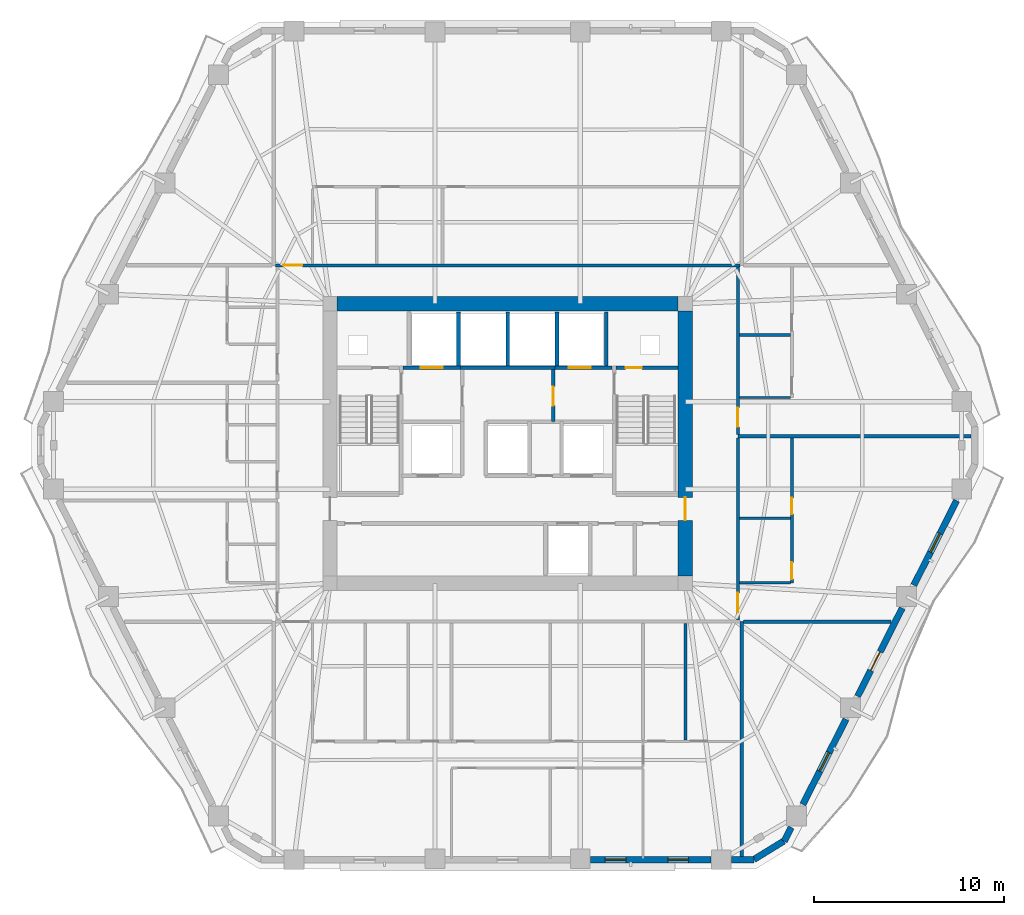
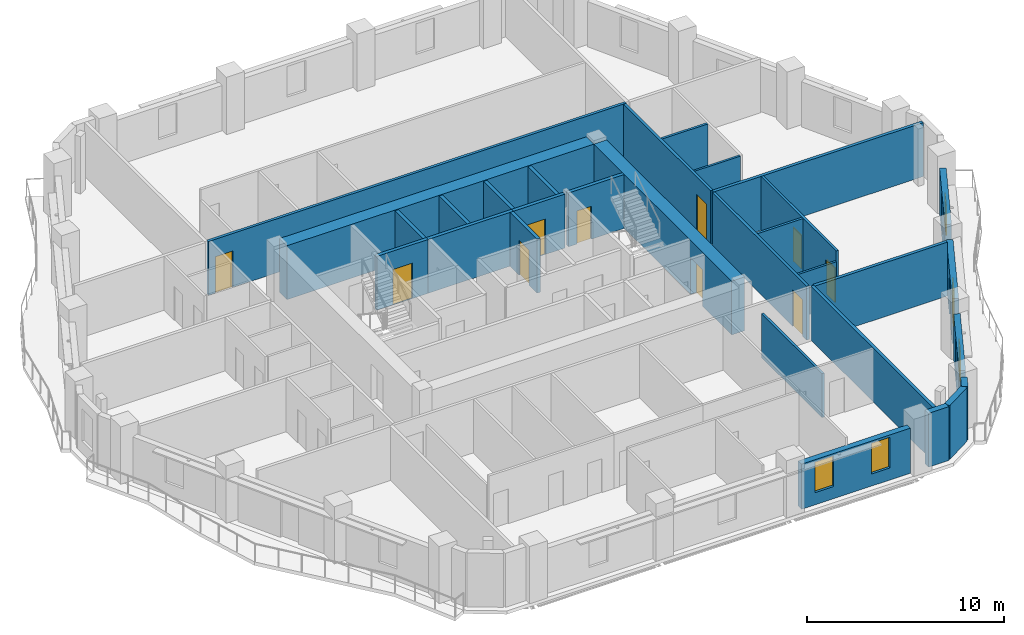
# One storey, part 6 of 12: 30 walls, 11 doors, 4 windows, 15 openings.
"""IFC4 building model written with IfcOpenShell, lengths in metres."""

from ifc_helpers import new_model, si_unit, direction, frame, frame_2d, origin, place, context, subcontext, project, spatial, rectangle, extrude, material, layer, layer_set, type_object, element, fill, save


model = new_model("IFC4")

# Units and contexts
model_context = context("Model", 3, precision=1e-05, world=origin(), true_north=direction((0.0, 1.0)))
body_context = subcontext(model_context, "Body", "Model", "MODEL_VIEW")
ifc_project = project(units=[si_unit("LENGTHUNIT", "METRE"), si_unit("AREAUNIT", "SQUARE_METRE"), si_unit("VOLUMEUNIT", "CUBIC_METRE"), si_unit("PLANEANGLEUNIT", "RADIAN"), si_unit("MASSUNIT", "GRAM", prefix="KILO")], contexts=[model_context])

# Site, building, storey
site_placement = place(None, origin())
site = spatial("IfcSite", under=ifc_project, at=site_placement, CompositionType="ELEMENT")
building_placement = place(site_placement, origin())
building = spatial("IfcBuilding", under=site, at=building_placement, Name="Cinnabar Lancet Tower", CompositionType="ELEMENT")
storey_placement = place(building_placement, frame((0.0, 0.0, 123.25)))
storey = spatial("IfcBuildingStorey", under=building, at=storey_placement, Name="L32", CompositionType="ELEMENT", Elevation=123.25)

# Wall, opening, door
ifc_material_1 = material(Name="Acoustic twin-stud gypsum partition", Category="gypsum")
ifc_layer_1 = layer(ifc_material_1, 0.159912109375)
ifc_layer_set_1 = layer_set([ifc_layer_1], Name="Acoustic twin-stud gypsum partition")
wall_type_1 = type_object("IfcWallType", Name="ARC-WL-CORR-160", PredefinedType="PARTITIONING", material=ifc_layer_set_1)
wall_1_placement = place(storey_placement, frame((20.14501953125, 35.300048828125, 0.0), z_axis=(0.0, 0.0, 1.0), x_axis=(1.0, 0.0, 0.0)))
wall_1 = element("IfcWall", 1, at=wall_1_placement, inside=storey, type_object=wall_type_1, Name="L32 Unit N01 Corridor Wall", PredefinedType="PARTITIONING", context=body_context, shape_type="SweptSolid", body=[
    extrude(rectangle(XDim=24.510009765625, YDim=0.159912109375, at=frame_2d((12.2548828125, 0.0))), origin(), (0.0, 0.0, 1.0), 3.340087890625),
])
opening_1_placement = place(wall_1_placement, frame((0.405029296875, 0.0, 0.0)))
opening_1 = element("IfcOpeningElement", 2, at=opening_1_placement, cuts=wall_1, Name="Opening UD-01", PredefinedType="OPENING", context=body_context, shape_type="SweptSolid", body=[
    extrude(rectangle(XDim=1.02001953125, YDim=2.25, at=frame_2d((0.510009765625, 1.125))), frame((0.0, 0.08984375, 0.0), z_axis=(0.0, -1.0, 0.0), x_axis=(1.0, 0.0, 0.0)), (0.0, 0.0, 1.0), 0.179931640625),
])
ifc_material_2 = material(Name="Solid timber fire-rated apartment entrance door", Category="wood")
door_type_1 = type_object("IfcDoorType", Name="ARC-DR-UNIT", OperationType="NOTDEFINED", PredefinedType="DOOR", material=ifc_material_2)
door_1_placement = place(opening_1_placement, origin())
door_1 = element("IfcDoor", 3, at=door_1_placement, inside=storey, type_object=door_type_1, Name="DR-L32-N01-ENT", OperationType="SINGLE_SWING_RIGHT", OverallHeight=2.25, OverallWidth=1.02001953125, PredefinedType="DOOR", context=body_context, shape_type="SweptSolid", body=[
    extrude(rectangle(XDim=1.02001953125, YDim=2.25, at=frame_2d((0.510009765625, 1.125))), frame((0.0, 0.02490234375, 0.0), z_axis=(0.0, -1.0, 0.0), x_axis=(1.0, 0.0, 0.0)), (0.0, 0.0, 1.0), 0.050048828125),
])
fill(opening_1, door_1)

wall_2_placement = place(storey_placement, frame((44.550048828125, 16.594970703125, 0.0), z_axis=(0.0, 0.0, 1.0), x_axis=(0.0, 1.0, 0.0)))
wall_2 = element("IfcWall", 4, at=wall_2_placement, inside=storey, type_object=wall_type_1, Name="UW-L32-E01-COR", PredefinedType="PARTITIONING", context=body_context, shape_type="SweptSolid", body=[
    extrude(rectangle(XDim=9.5859375, YDim=0.159912109375, at=frame_2d((4.79296875, 0.0))), origin(), (0.0, 0.0, 1.0), 3.340087890625),
])
opening_2_placement = place(wall_2_placement, frame((0.39990234375, 0.0, 0.0)))
opening_2 = element("IfcOpeningElement", 5, at=opening_2_placement, cuts=wall_2, Name="Opening UD-01", PredefinedType="OPENING", context=body_context, shape_type="SweptSolid", body=[
    extrude(rectangle(XDim=1.02001953125, YDim=2.25, at=frame_2d((0.510009765625, 1.125))), frame((0.0, 0.08984375, 0.0), z_axis=(0.0, -1.0, 0.0), x_axis=(1.0, 0.0, 0.0)), (0.0, 0.0, 1.0), 0.179931640625),
])
door_2_placement = place(opening_2_placement, origin())
door_2 = element("IfcDoor", 6, at=door_2_placement, inside=storey, type_object=door_type_1, Name="DR-L32-E01-ENT", OperationType="SINGLE_SWING_RIGHT", OverallHeight=2.25, OverallWidth=1.02001953125, PredefinedType="DOOR", context=body_context, shape_type="SweptSolid", body=[
    extrude(rectangle(XDim=1.02001953125, YDim=2.25, at=frame_2d((0.510009765625, 1.125))), frame((0.0, 0.02490234375, 0.0), z_axis=(0.0, -1.0, 0.0), x_axis=(1.0, 0.0, 0.0)), (0.0, 0.0, 1.0), 0.050048828125),
])
fill(opening_2, door_2)

wall_3_placement = place(storey_placement, frame((44.550048828125, 26.37109375, 0.0), z_axis=(0.0, 0.0, 1.0), x_axis=(0.0, 1.0, 0.0)))
wall_3 = element("IfcWall", 7, at=wall_3_placement, inside=storey, type_object=wall_type_1, Name="UW-L32-E02-COR", PredefinedType="PARTITIONING", context=body_context, shape_type="SweptSolid", body=[
    extrude(rectangle(XDim=8.833984375, YDim=0.159912109375, at=frame_2d((4.4169921875, 0.0))), origin(), (0.0, 0.0, 1.0), 3.340087890625),
])
opening_3_placement = place(wall_3_placement, frame((0.39990234375, 0.0, 0.0)))
opening_3 = element("IfcOpeningElement", 8, at=opening_3_placement, cuts=wall_3, Name="Opening UD-01", PredefinedType="OPENING", context=body_context, shape_type="SweptSolid", body=[
    extrude(rectangle(XDim=1.02001953125, YDim=2.25, at=frame_2d((0.510009765625, 1.125))), frame((0.0, 0.08984375, 0.0), z_axis=(0.0, -1.0, 0.0), x_axis=(1.0, 0.0, 0.0)), (0.0, 0.0, 1.0), 0.179931640625),
])
door_3_placement = place(opening_3_placement, origin())
door_3 = element("IfcDoor", 9, at=door_3_placement, inside=storey, type_object=door_type_1, Name="DR-L32-E02-ENT", OperationType="SINGLE_SWING_LEFT", OverallHeight=2.25, OverallWidth=1.02001953125, PredefinedType="DOOR", context=body_context, shape_type="SweptSolid", body=[
    extrude(rectangle(XDim=1.02001953125, YDim=2.25, at=frame_2d((0.510009765625, 1.125))), frame((0.0, 0.02490234375, 0.0), z_axis=(0.0, -1.0, 0.0), x_axis=(1.0, 0.0, 0.0)), (0.0, 0.0, 1.0), 0.050048828125),
])
fill(opening_3, door_3)

# Walls
ifc_material_3 = material(Name="Fire-rated twin-frame acoustic drywall", Category="gypsum")
ifc_layer_2 = layer(ifc_material_3, 0.179931640625)
ifc_layer_set_2 = layer_set([ifc_layer_2], Name="Fire-rated twin-frame acoustic drywall")
wall_type_2 = type_object("IfcWallType", Name="ARC-WL-PARTY-180", PredefinedType="PARTITIONING", material=ifc_layer_set_2)
wall_4_placement = place(storey_placement, frame((44.75, 4.10498046875, 0.0), z_axis=(0.0, 0.0, 1.0), x_axis=(0.0, 1.0, 0.0)))
element("IfcWall", 10, at=wall_4_placement, inside=storey, type_object=wall_type_2, Name="PW-L32-SPTY-448", PredefinedType="PARTITIONING", context=body_context, shape_type="SweptSolid", body=[
    extrude(rectangle(XDim=12.39501953125, YDim=0.179931640625, at=frame_2d((6.197509765625, 0.0))), origin(), (0.0, 0.0, 1.0), 3.340087890625),
])
wall_5_placement = place(storey_placement, frame((44.844970703125, 16.5, 0.0), z_axis=(0.0, 0.0, 1.0), x_axis=(1.0, 0.0, 0.0)))
element("IfcWall", 11, at=wall_5_placement, inside=storey, type_object=wall_type_2, Name="PW-L32-ESB", PredefinedType="PARTITIONING", context=body_context, shape_type="SweptSolid", body=[
    extrude(rectangle(XDim=7.77001953125, YDim=0.179931640625, at=frame_2d((3.885009765625, 0.0))), origin(), (0.0, 0.0, 1.0), 3.340087890625),
])
wall_6_placement = place(storey_placement, frame((44.550048828125, 26.27587890625, 0.0), z_axis=(0.0, 0.0, 1.0), x_axis=(1.0, 0.0, 0.0)))
element("IfcWall", 12, at=wall_6_placement, inside=storey, type_object=wall_type_2, Name="PW-L32-EPTY-1", PredefinedType="PARTITIONING", context=body_context, shape_type="SweptSolid", body=[
    extrude(rectangle(XDim=12.307861328125, YDim=0.179931640625, at=frame_2d((6.15380859375, 0.0))), origin(), (0.0, 0.0, 1.0), 3.340087890625),
])

# Wall, opening, door
ifc_material_4 = material(Name="Autoclaved aerated concrete blockwork", Category="masonry")
ifc_layer_3 = layer(ifc_material_4, 0.199951171875)
ifc_layer_set_3 = layer_set([ifc_layer_3], Name="Autoclaved aerated concrete blockwork")
wall_type_3 = type_object("IfcWallType", Name="ARC-WL-SHAFT-200", PredefinedType="PLUMBINGWALL", material=ifc_layer_set_3)
wall_7_placement = place(storey_placement, frame((26.885009765625, 29.89990234375, 0.0), z_axis=(0.0, 0.0, 1.0), x_axis=(1.0, 0.0, 0.0)))
wall_7 = element("IfcWall", 13, at=wall_7_placement, inside=storey, type_object=wall_type_3, Name="CW-FL1-L32", PredefinedType="PLUMBINGWALL", context=body_context, shape_type="SweptSolid", body=[
    extrude(rectangle(XDim=3.014892578125, YDim=0.199951171875, at=frame_2d((1.50732421875, 0.0))), origin(), (0.0, 0.0, 1.0), 3.340087890625),
])
opening_4_placement = place(wall_7_placement, frame((0.93994140625, 0.0, 0.0)))
opening_4 = element("IfcOpeningElement", 14, at=opening_4_placement, cuts=wall_7, Name="Opening LD-02", PredefinedType="OPENING", context=body_context, shape_type="SweptSolid", body=[
    extrude(rectangle(XDim=1.14990234375, YDim=2.199951171875, at=frame_2d((0.574951171875, 1.10009765625))), frame((0.0, 0.10986328125, 0.0), z_axis=(0.0, -1.0, 0.0), x_axis=(1.0, 0.0, 0.0)), (0.0, 0.0, 1.0), 0.219970703125),
])
ifc_material_5 = material(Name="Fire-rated stainless steel firefighting lift landing door", Category="steel")
door_type_2 = type_object("IfcDoorType", Name="ARC-DR-LD-FIRE", OperationType="NOTDEFINED", PredefinedType="DOOR", material=ifc_material_5)
door_4_placement = place(opening_4_placement, origin())
door_4 = element("IfcDoor", 15, at=door_4_placement, inside=storey, type_object=door_type_2, Name="L32 Firefighting Lift FL-1 Landing Door", OperationType="DOUBLE_DOOR_SLIDING", OverallHeight=2.199951171875, OverallWidth=1.14990234375, PredefinedType="DOOR", context=body_context, shape_type="SweptSolid", body=[
    extrude(rectangle(XDim=1.14990234375, YDim=2.199951171875, at=frame_2d((0.574951171875, 1.10009765625))), frame((0.0, 0.02490234375, 0.0), z_axis=(0.0, -1.0, 0.0), x_axis=(1.0, 0.0, 0.0)), (0.0, 0.0, 1.0), 0.050048828125),
])
fill(opening_4, door_4)

# Wall
wall_8_placement = place(storey_placement, frame((29.89990234375, 29.89990234375, 0.0), z_axis=(0.0, 0.0, 1.0), x_axis=(1.0, 0.0, 0.0)))
element("IfcWall", 16, at=wall_8_placement, inside=storey, type_object=wall_type_3, Name="CW-PL78-L32", PredefinedType="PLUMBINGWALL", context=body_context, shape_type="SweptSolid", body=[
    extrude(rectangle(XDim=5.0, YDim=0.199951171875, at=frame_2d((2.5, 0.0))), origin(), (0.0, 0.0, 1.0), 3.340087890625),
])

# Wall, opening, door
wall_9_placement = place(storey_placement, frame((34.89990234375, 29.89990234375, 0.0), z_axis=(0.0, 0.0, 1.0), x_axis=(1.0, 0.0, 0.0)))
wall_9 = element("IfcWall", 17, at=wall_9_placement, inside=storey, type_object=wall_type_3, Name="CW-FL2-L32", PredefinedType="PLUMBINGWALL", context=body_context, shape_type="SweptSolid", body=[
    extrude(rectangle(XDim=3.01513671875, YDim=0.199951171875, at=frame_2d((1.507568359375, 0.0))), origin(), (0.0, 0.0, 1.0), 3.340087890625),
])
opening_5_placement = place(wall_9_placement, frame((0.72509765625, 0.0, 0.0)))
opening_5 = element("IfcOpeningElement", 18, at=opening_5_placement, cuts=wall_9, Name="Opening LD-02", PredefinedType="OPENING", context=body_context, shape_type="SweptSolid", body=[
    extrude(rectangle(XDim=1.14990234375, YDim=2.199951171875, at=frame_2d((0.574951171875, 1.10009765625))), frame((0.0, 0.10986328125, 0.0), z_axis=(0.0, -1.0, 0.0), x_axis=(1.0, 0.0, 0.0)), (0.0, 0.0, 1.0), 0.219970703125),
])
door_5_placement = place(opening_5_placement, origin())
door_5 = element("IfcDoor", 19, at=door_5_placement, inside=storey, type_object=door_type_2, Name="L32 Firefighting Lift FL-2 Landing Door", OperationType="DOUBLE_DOOR_SLIDING", OverallHeight=2.199951171875, OverallWidth=1.14990234375, PredefinedType="DOOR", context=body_context, shape_type="SweptSolid", body=[
    extrude(rectangle(XDim=1.14990234375, YDim=2.199951171875, at=frame_2d((0.574951171875, 1.10009765625))), frame((0.0, 0.02490234375, 0.0), z_axis=(0.0, -1.0, 0.0), x_axis=(1.0, 0.0, 0.0)), (0.0, 0.0, 1.0), 0.050048828125),
])
fill(opening_5, door_5)

wall_10_placement = place(storey_placement, frame((38.125, 29.89990234375, 0.0), z_axis=(0.0, 0.0, 1.0), x_axis=(1.0, 0.0, 0.0)))
wall_10 = element("IfcWall", 20, at=wall_10_placement, inside=storey, type_object=wall_type_3, Name="CW-NSH-E-L32", PredefinedType="PLUMBINGWALL", context=body_context, shape_type="SweptSolid", body=[
    extrude(rectangle(XDim=3.27001953125, YDim=0.199951171875, at=frame_2d((1.635009765625, 0.0))), origin(), (0.0, 0.0, 1.0), 3.340087890625),
])
opening_6_placement = place(wall_10_placement, frame((0.5, 0.0, 0.0)))
opening_6 = element("IfcOpeningElement", 21, at=opening_6_placement, cuts=wall_10, Name="Opening PD-02", PredefinedType="OPENING", context=body_context, shape_type="SweptSolid", body=[
    extrude(rectangle(XDim=0.85009765625, YDim=2.050048828125, at=frame_2d((0.425048828125, 1.02490234375))), frame((0.0, 0.10986328125, 0.0), z_axis=(0.0, -1.0, 0.0), x_axis=(1.0, 0.0, 0.0)), (0.0, 0.0, 1.0), 0.219970703125),
])
ifc_material_6 = material(Name="Fire-rated steel riser access door", Category="steel")
door_type_3 = type_object("IfcDoorType", Name="ARC-DR-RISER", OperationType="NOTDEFINED", PredefinedType="DOOR", material=ifc_material_6)
door_6_placement = place(opening_6_placement, origin())
door_6 = element("IfcDoor", 22, at=door_6_placement, inside=storey, type_object=door_type_3, Name="L32 East Riser Access Door", OperationType="SINGLE_SWING_RIGHT", OverallHeight=2.050048828125, OverallWidth=0.85009765625, PredefinedType="DOOR", context=body_context, shape_type="SweptSolid", body=[
    extrude(rectangle(XDim=0.85009765625, YDim=2.050048828125, at=frame_2d((0.425048828125, 1.02490234375))), frame((0.0, 0.02490234375, 0.0), z_axis=(0.0, -1.0, 0.0), x_axis=(1.0, 0.0, 0.0)), (0.0, 0.0, 1.0), 0.050048828125),
])
fill(opening_6, door_6)

# Walls
for number, where, z_axis, x_axis, name in (
    (23, (29.800048828125, 30.0, 0.0), (0.0, 0.0, 1.0), (0.0, 1.0, 0.0), "CW-NSH-D2-L32"),
    (24, (32.39990234375, 30.0, 0.0), (0.0, 0.0, 1.0), (0.0, 1.0, 0.0), "CW-NSH-D3-L32"),
    (25, (35.0, 30.0, 0.0), (0.0, 0.0, 1.0), (0.0, 1.0, 0.0), "CW-NSH-D4-L32"),
    (26, (37.60009765625, 30.0, 0.0), (0.0, 0.0, 1.0), (0.0, 1.0, 0.0), "CW-NSH-D5-L32"),
):
    element("IfcWall", number, at=place(storey_placement, frame(where, z_axis=z_axis, x_axis=x_axis)), inside=storey, type_object=wall_type_3, Name=name, PredefinedType="PLUMBINGWALL", context=body_context, shape_type="SweptSolid", body=[
        extrude(rectangle(XDim=2.85009765625, YDim=0.199951171875, at=frame_2d((1.425048828125, 0.0))), origin(), (0.0, 0.0, 1.0), 3.340087890625),
    ])

# Wall, opening, door
wall_11_placement = place(storey_placement, frame((34.800048828125, 27.050048828125, 0.0), z_axis=(0.0, 0.0, 1.0), x_axis=(0.0, 1.0, 0.0)))
wall_11 = element("IfcWall", 27, at=wall_11_placement, inside=storey, type_object=wall_type_3, Name="CW-FF2W-L32", PredefinedType="PLUMBINGWALL", context=body_context, shape_type="SweptSolid", body=[
    extrude(rectangle(XDim=2.75, YDim=0.199951171875, at=frame_2d((1.375, 0.0))), origin(), (0.0, 0.0, 1.0), 3.340087890625),
])
opening_7_placement = place(wall_11_placement, frame((0.85009765625, 0.0, 0.0)))
opening_7 = element("IfcOpeningElement", 28, at=opening_7_placement, cuts=wall_11, Name="Opening FD-01", PredefinedType="OPENING", context=body_context, shape_type="SweptSolid", body=[
    extrude(rectangle(XDim=1.0, YDim=2.14990234375, at=frame_2d((0.5, 1.074951171875))), frame((0.0, 0.10986328125, 0.0), z_axis=(0.0, -1.0, 0.0), x_axis=(1.0, 0.0, 0.0)), (0.0, 0.0, 1.0), 0.219970703125),
])
ifc_material_7 = material(Name="Fire-rated timber-core lobby door", Category="wood")
door_type_4 = type_object("IfcDoorType", Name="ARC-DR-FFAL", OperationType="NOTDEFINED", PredefinedType="DOOR", material=ifc_material_7)
door_7_placement = place(opening_7_placement, origin())
door_7 = element("IfcDoor", 29, at=door_7_placement, inside=storey, type_object=door_type_4, Name="L32 FFAL-2 Lobby Fire Door", OperationType="SINGLE_SWING_LEFT", OverallHeight=2.14990234375, OverallWidth=1.0, PredefinedType="DOOR", context=body_context, shape_type="SweptSolid", body=[
    extrude(rectangle(XDim=1.0, YDim=2.14990234375, at=frame_2d((0.5, 1.074951171875))), frame((0.0, 0.02490234375, 0.0), z_axis=(0.0, -1.0, 0.0), x_axis=(1.0, 0.0, 0.0)), (0.0, 0.0, 1.0), 0.050048828125),
])
fill(opening_7, door_7)

# Walls
ifc_material_8 = material(Name="Gypsum plasterboard stud partition", Category="gypsum")
ifc_layer_4 = layer(ifc_material_8, 0.125)
ifc_layer_set_4 = layer_set([ifc_layer_4], Name="Gypsum plasterboard stud partition")
wall_type_4 = type_object("IfcWallType", Name="ARC-WL-UNIT-125", PredefinedType="PARTITIONING", material=ifc_layer_set_4)
wall_12_placement = place(storey_placement, frame((44.635009765625, 18.550048828125, 0.0), z_axis=(0.0, 0.0, 1.0), x_axis=(1.0, 0.0, 0.0)))
element("IfcWall", 30, at=wall_12_placement, inside=storey, type_object=wall_type_4, Name="UW-L32-E01-FOYN", PredefinedType="PARTITIONING", context=body_context, shape_type="SweptSolid", body=[
    extrude(rectangle(XDim=2.679931640625, YDim=0.125, at=frame_2d((1.33984375, 0.0))), origin(), (0.0, 0.0, 1.0), 2.721923828125),
])
wall_13_placement = place(storey_placement, frame((44.635009765625, 28.325927734375, 0.0), z_axis=(0.0, 0.0, 1.0), x_axis=(1.0, 0.0, 0.0)))
element("IfcWall", 31, at=wall_13_placement, inside=storey, type_object=wall_type_4, Name="UW-L32-E02-FOYN", PredefinedType="PARTITIONING", context=body_context, shape_type="SweptSolid", body=[
    extrude(rectangle(XDim=2.679931640625, YDim=0.125, at=frame_2d((1.33984375, 0.0))), origin(), (0.0, 0.0, 1.0), 3.340087890625),
])
ifc_material_9 = material(Name="Moisture-resistant cement-board plumbing wall", Category="masonry")
ifc_layer_5 = layer(ifc_material_9, 0.139892578125)
ifc_layer_set_5 = layer_set([ifc_layer_5], Name="Moisture-resistant cement-board plumbing wall")
wall_type_5 = type_object("IfcWallType", Name="ARC-WL-WET-140", PredefinedType="PLUMBINGWALL", material=ifc_layer_set_5)
wall_14_placement = place(storey_placement, frame((41.782958984375, 10.263916015625, 0.0), z_axis=(0.0, 0.0, 1.0), x_axis=(0.0, 1.0, 0.0)))
element("IfcWall", 32, at=wall_14_placement, inside=storey, type_object=wall_type_5, Name="UW-L32-S01-ENS-WDV", PredefinedType="PLUMBINGWALL", context=body_context, shape_type="SweptSolid", body=[
    extrude(rectangle(XDim=6.151123046875, YDim=0.139892578125, at=frame_2d((3.07568359375, 0.0))), origin(), (0.0, 0.0, 1.0), 2.721923828125),
])

# Wall, openings, doors
wall_15_placement = place(storey_placement, frame((47.39990234375, 18.550048828125, 0.0), z_axis=(0.0, 0.0, 1.0), x_axis=(0.0, 1.0, 0.0)))
wall_15 = element("IfcWall", 33, at=wall_15_placement, inside=storey, type_object=wall_type_5, Name="UW-L32-E01-SPL", PredefinedType="PLUMBINGWALL", context=body_context, shape_type="SweptSolid", body=[
    extrude(rectangle(XDim=7.630859375, YDim=0.139892578125, at=frame_2d((3.8154296875, 0.0))), origin(), (0.0, 0.0, 1.0), 3.340087890625),
])
opening_8_placement = place(wall_15_placement, frame((3.6201171875, 0.0, 0.0)))
opening_8 = element("IfcOpeningElement", 34, at=opening_8_placement, cuts=wall_15, Name="Opening BD-01", PredefinedType="OPENING", context=body_context, shape_type="SweptSolid", body=[
    extrude(rectangle(XDim=0.860107421875, YDim=2.10009765625, at=frame_2d((0.43017578125, 1.050048828125))), frame((0.0, 0.079833984375, 0.0), z_axis=(0.0, -1.0, 0.0), x_axis=(1.0, 0.0, 0.0)), (0.0, 0.0, 1.0), 0.159912109375),
])
opening_9_placement = place(wall_15_placement, frame((0.199951171875, 0.0, 0.0)))
opening_9 = element("IfcOpeningElement", 35, at=opening_9_placement, cuts=wall_15, Name="Opening RD-02", PredefinedType="OPENING", context=body_context, shape_type="SweptSolid", body=[
    extrude(rectangle(XDim=0.8798828125, YDim=2.14990234375, at=frame_2d((0.43994140625, 1.074951171875))), frame((0.0, 0.079833984375, 0.0), z_axis=(0.0, -1.0, 0.0), x_axis=(1.0, 0.0, 0.0)), (0.0, 0.0, 1.0), 0.159912109375),
])
ifc_material_10 = material(Name="Moisture-resistant timber bathroom door", Category="wood")
door_type_5 = type_object("IfcDoorType", Name="ARC-DR-BATH", OperationType="NOTDEFINED", PredefinedType="DOOR", material=ifc_material_10)
door_8_placement = place(opening_8_placement, origin())
door_8 = element("IfcDoor", 36, at=door_8_placement, inside=storey, type_object=door_type_5, Name="DR-L32-E01-BTH", OperationType="SINGLE_SWING_RIGHT", OverallHeight=2.10009765625, OverallWidth=0.860107421875, PredefinedType="DOOR", context=body_context, shape_type="SweptSolid", body=[
    extrude(rectangle(XDim=0.860107421875, YDim=2.10009765625, at=frame_2d((0.43017578125, 1.050048828125))), frame((0.0, 0.02490234375, 0.0), z_axis=(0.0, -1.0, 0.0), x_axis=(1.0, 0.0, 0.0)), (0.0, 0.0, 1.0), 0.050048828125),
])
fill(opening_8, door_8)
ifc_material_11 = material(Name="Engineered timber study door", Category="wood")
door_type_6 = type_object("IfcDoorType", Name="ARC-DR-STUDY", OperationType="NOTDEFINED", PredefinedType="DOOR", material=ifc_material_11)
door_9_placement = place(opening_9_placement, origin())
door_9 = element("IfcDoor", 37, at=door_9_placement, inside=storey, type_object=door_type_6, Name="DR-L32-E01-KIT", OperationType="SINGLE_SWING_LEFT", OverallHeight=2.14990234375, OverallWidth=0.8798828125, PredefinedType="DOOR", context=body_context, shape_type="SweptSolid", body=[
    extrude(rectangle(XDim=0.8798828125, YDim=2.14990234375, at=frame_2d((0.43994140625, 1.074951171875))), frame((0.0, 0.02490234375, 0.0), z_axis=(0.0, -1.0, 0.0), x_axis=(1.0, 0.0, 0.0)), (0.0, 0.0, 1.0), 0.050048828125),
])
fill(opening_9, door_9)

# Walls
for number, where, z_axis, x_axis, name in (
    (38, (44.635009765625, 21.949951171875, 0.0), (0.0, 0.0, 1.0), (1.0, 0.0, 0.0), "UW-L32-E01-KDV"),
    (39, (44.635009765625, 31.6279296875, 0.0), (0.0, 0.0, 1.0), (1.0, 0.0, 0.0), "UW-L32-E02-KDV"),
):
    element("IfcWall", number, at=place(storey_placement, frame(where, z_axis=z_axis, x_axis=x_axis)), inside=storey, type_object=wall_type_5, Name=name, PredefinedType="PLUMBINGWALL", context=body_context, shape_type="SweptSolid", body=[
        extrude(rectangle(XDim=2.679931640625, YDim=0.139892578125, at=frame_2d((1.33984375, 0.0))), origin(), (0.0, 0.0, 1.0), 3.340087890625),
    ])
ifc_material_12 = material(Name="Cinnabar red clay brick", Category="masonry")
ifc_layer_6 = layer(ifc_material_12, 0.340087890625)
ifc_layer_set_6 = layer_set([ifc_layer_6], Name="Cinnabar red clay brick")
wall_type_6 = type_object("IfcWallType", Name="ENV-WL-BRK-RED-340", PredefinedType="STANDARD", material=ifc_layer_set_6)
wall_16_placement = place(storey_placement, frame((45.39697265625, 3.955078125, 0.0), z_axis=(0.0, 0.0, 1.0), x_axis=(0.851798915137, 0.523868884523, 0.0)))
element("IfcWall", 40, at=wall_16_placement, inside=storey, type_object=wall_type_6, Name="L32 Chamfered Corner Brick Pier 2.1", PredefinedType="STANDARD", context=body_context, shape_type="SweptSolid", body=[
    extrude(rectangle(XDim=1.847900390625, YDim=0.340087890625, at=frame_2d((0.923828125, 0.0))), origin(), (0.0, 0.0, 1.0), 3.340087890625),
])

# Wall, openings, windows
wall_17_placement = place(storey_placement, frame((36.760986328125, 3.929931640625, 0.0), z_axis=(0.0, 0.0, 1.0), x_axis=(1.0, 0.0, 0.0)))
wall_17 = element("IfcWall", 41, at=wall_17_placement, inside=storey, type_object=wall_type_6, Name="L32 Face 1 Masonry Bay Wall 4", PredefinedType="STANDARD", context=body_context, shape_type="SweptSolid", body=[
    extrude(rectangle(XDim=6.37890625, YDim=0.340087890625, at=frame_2d((3.189453125, 0.0))), origin(), (0.0, 0.0, 1.0), 2.797119140625),
])
opening_10_placement = place(wall_17_placement, frame((0.784912109375, 0.0, 0.75)))
opening_10 = element("IfcOpeningElement", 42, at=opening_10_placement, cuts=wall_17, Name="Opening WN-04", PredefinedType="OPENING", context=body_context, shape_type="SweptSolid", body=[
    extrude(rectangle(XDim=1.10009765625, YDim=1.89697265625, at=frame_2d((0.550048828125, 0.948486328125))), frame((0.0, 0.179931640625, 0.0), z_axis=(0.0, -1.0, 0.0), x_axis=(1.0, 0.0, 0.0)), (0.0, 0.0, 1.0), 0.360107421875),
])
opening_11_placement = place(wall_17_placement, frame((4.0869140625, 0.0, 0.75)))
opening_11 = element("IfcOpeningElement", 43, at=opening_11_placement, cuts=wall_17, Name="Opening WN-04", PredefinedType="OPENING", context=body_context, shape_type="SweptSolid", body=[
    extrude(rectangle(XDim=1.10009765625, YDim=1.89697265625, at=frame_2d((0.550048828125, 0.948486328125))), frame((0.0, 0.179931640625, 0.0), z_axis=(0.0, -1.0, 0.0), x_axis=(1.0, 0.0, 0.0)), (0.0, 0.0, 1.0), 0.360107421875),
])
ifc_material_13 = material(Name="Thermally broken bronze-anodized aluminium tall lancet window", Category="aluminium")
window_type = type_object("IfcWindowType", Name="ENV-WN-LANCET-1100", PartitioningType="SINGLE_PANEL", PredefinedType="WINDOW", material=ifc_material_13)
window_1_placement = place(opening_10_placement, origin())
window_1 = element("IfcWindow", 44, at=window_1_placement, inside=storey, type_object=window_type, Name="L32 Face 1 Gothic Lancet Window 4", OverallHeight=1.89697265625, OverallWidth=1.10009765625, PartitioningType="SINGLE_PANEL", PredefinedType="WINDOW", context=body_context, shape_type="SweptSolid", body=[
    extrude(rectangle(XDim=1.10009765625, YDim=1.89697265625, at=frame_2d((0.550048828125, 0.948486328125))), frame((0.0, 0.030029296875, 0.0), z_axis=(0.0, -1.0, 0.0), x_axis=(1.0, 0.0, 0.0)), (0.0, 0.0, 1.0), 0.06005859375),
])
fill(opening_10, window_1)
window_2_placement = place(opening_11_placement, origin())
window_2 = element("IfcWindow", 45, at=window_2_placement, inside=storey, type_object=window_type, Name="L32 Split-Bay Gothic Lancet Window 99", OverallHeight=1.89697265625, OverallWidth=1.10009765625, PartitioningType="SINGLE_PANEL", PredefinedType="WINDOW", context=body_context, shape_type="SweptSolid", body=[
    extrude(rectangle(XDim=1.10009765625, YDim=1.89697265625, at=frame_2d((0.550048828125, 0.948486328125))), frame((0.0, 0.030029296875, 0.0), z_axis=(0.0, -1.0, 0.0), x_axis=(1.0, 0.0, 0.0)), (0.0, 0.0, 1.0), 0.06005859375),
])
fill(opening_11, window_2)

# Walls
wall_18_placement = place(storey_placement, frame((44.197998046875, 3.929931640625, 0.0), z_axis=(0.0, 0.0, 1.0), x_axis=(1.0, 0.0, 0.0)))
element("IfcWall", 46, at=wall_18_placement, inside=storey, type_object=wall_type_6, Name="L32 Face 1 Masonry Bay Wall 5", PredefinedType="STANDARD", context=body_context, shape_type="SweptSolid", body=[
    extrude(rectangle(XDim=1.2041015625, YDim=0.340087890625, at=frame_2d((0.60205078125, 0.0))), origin(), (0.0, 0.0, 1.0), 3.340087890625),
])
wall_19_placement = place(storey_placement, frame((46.990966796875, 4.906982421875, 0.0), z_axis=(0.0, 0.0, 1.0), x_axis=(0.45172514337, 0.892157158155, 0.0)))
element("IfcWall", 47, at=wall_19_placement, inside=storey, type_object=wall_type_6, Name="L32 Face 2 Masonry Bay Wall 1", PredefinedType="STANDARD", context=body_context, shape_type="SweptSolid", body=[
    extrude(rectangle(XDim=0.821533203125, YDim=0.340087890625, at=frame_2d((0.41064453125, 0.0))), origin(), (0.0, 0.0, 1.0), 3.340087890625),
])

# Wall, opening, window
wall_20_placement = place(storey_placement, frame((47.97509765625, 6.85205078125, 0.0), z_axis=(0.0, 0.0, 1.0), x_axis=(0.451548465867, 0.892246593142, 0.0)))
wall_20 = element("IfcWall", 48, at=wall_20_placement, inside=storey, type_object=wall_type_6, Name="L32 Face 2 Masonry Bay Wall 2", PredefinedType="STANDARD", context=body_context, shape_type="SweptSolid", body=[
    extrude(rectangle(XDim=5.040283203125, YDim=0.340087890625, at=frame_2d((2.52001953125, 0.0))), origin(), (0.0, 0.0, 1.0), 2.797119140625),
])
opening_12_placement = place(wall_20_placement, frame((1.969970703125, 0.0, 0.75)))
opening_12 = element("IfcOpeningElement", 49, at=opening_12_placement, cuts=wall_20, Name="Opening WN-04", PredefinedType="OPENING", context=body_context, shape_type="SweptSolid", body=[
    extrude(rectangle(XDim=1.10009765625, YDim=1.89697265625, at=frame_2d((0.550048828125, 0.948486328125))), frame((0.0, 0.179931640625, 0.0), z_axis=(0.0, -1.0, 0.0), x_axis=(1.0, 0.0, 0.0)), (0.0, 0.0, 1.0), 0.360107421875),
])
window_3_placement = place(opening_12_placement, origin())
window_3 = element("IfcWindow", 50, at=window_3_placement, inside=storey, type_object=window_type, Name="L32 Face 2 Gothic Lancet Window 2", OverallHeight=1.89697265625, OverallWidth=1.10009765625, PartitioningType="SINGLE_PANEL", PredefinedType="WINDOW", context=body_context, shape_type="SweptSolid", body=[
    extrude(rectangle(XDim=1.10009765625, YDim=1.89697265625, at=frame_2d((0.550048828125, 0.948486328125))), frame((0.0, 0.030029296875, 0.0), z_axis=(0.0, -1.0, 0.0), x_axis=(1.0, 0.0, 0.0)), (0.0, 0.0, 1.0), 0.06005859375),
])
fill(opening_12, window_3)

# Wall, opening, door
wall_21_placement = place(storey_placement, frame((50.863037109375, 12.56103515625, 0.0), z_axis=(0.0, 0.0, 1.0), x_axis=(0.451567731634, 0.892236842855, 0.0)))
wall_21 = element("IfcWall", 51, at=wall_21_placement, inside=storey, type_object=wall_type_6, Name="L32 Face 2 Masonry Bay Wall 3", PredefinedType="STANDARD", context=body_context, shape_type="SweptSolid", body=[
    extrude(rectangle(XDim=5.219482421875, YDim=0.340087890625, at=frame_2d((2.60986328125, 0.0))), origin(), (0.0, 0.0, 1.0), 2.797119140625),
])
opening_13_placement = place(wall_21_placement, frame((1.531982421875, 0.0, 0.0)))
opening_13 = element("IfcOpeningElement", 52, at=opening_13_placement, cuts=wall_21, Name="Opening TD-01", PredefinedType="OPENING", context=body_context, shape_type="SweptSolid", body=[
    extrude(rectangle(XDim=1.10009765625, YDim=2.25, at=frame_2d((0.550048828125, 1.125))), frame((0.0, 0.179931640625, 0.0), z_axis=(0.0, -1.0, 0.0), x_axis=(1.0, 0.0, 0.0)), (0.0, 0.0, 1.0), 0.360107421875),
])
ifc_material_14 = material(Name="Thermally broken low-E glazed balcony terrace door", Category="wood")
door_type_7 = type_object("IfcDoorType", Name="ARC-DR-BALC", OperationType="NOTDEFINED", PredefinedType="DOOR", material=ifc_material_14)
door_10_placement = place(opening_13_placement, origin())
door_10 = element("IfcDoor", 53, at=door_10_placement, inside=storey, type_object=door_type_7, Name="L32 Face 2 Glazed Terrace Door", OperationType="SINGLE_SWING_RIGHT", OverallHeight=2.25, OverallWidth=1.10009765625, PredefinedType="DOOR", context=body_context, shape_type="SweptSolid", body=[
    extrude(rectangle(XDim=1.10009765625, YDim=2.25, at=frame_2d((0.550048828125, 1.125))), frame((0.0, 0.02490234375, 0.0), z_axis=(0.0, -1.0, 0.0), x_axis=(1.0, 0.0, 0.0)), (0.0, 0.0, 1.0), 0.050048828125),
])
fill(opening_13, door_10)

# Wall, opening, window
wall_22_placement = place(storey_placement, frame((53.83203125, 18.427978515625, 0.0), z_axis=(0.0, 0.0, 1.0), x_axis=(0.451431617681, 0.892305718102, 0.0)))
wall_22 = element("IfcWall", 54, at=wall_22_placement, inside=storey, type_object=wall_type_6, Name="L32 Face 2 Masonry Bay Wall 4", PredefinedType="STANDARD", context=body_context, shape_type="SweptSolid", body=[
    extrude(rectangle(XDim=4.994873046875, YDim=0.340087890625, at=frame_2d((2.49755859375, 0.0))), origin(), (0.0, 0.0, 1.0), 2.797119140625),
])
opening_14_placement = place(wall_22_placement, frame((1.947021484375, 0.0, 0.75)))
opening_14 = element("IfcOpeningElement", 55, at=opening_14_placement, cuts=wall_22, Name="Opening WN-04", PredefinedType="OPENING", context=body_context, shape_type="SweptSolid", body=[
    extrude(rectangle(XDim=1.10009765625, YDim=1.89697265625, at=frame_2d((0.550048828125, 0.948486328125))), frame((0.0, 0.179931640625, 0.0), z_axis=(0.0, -1.0, 0.0), x_axis=(1.0, 0.0, 0.0)), (0.0, 0.0, 1.0), 0.360107421875),
])
window_4_placement = place(opening_14_placement, origin())
window_4 = element("IfcWindow", 56, at=window_4_placement, inside=storey, type_object=window_type, Name="L32 Face 2 Gothic Lancet Window 4", OverallHeight=1.89697265625, OverallWidth=1.10009765625, PartitioningType="SINGLE_PANEL", PredefinedType="WINDOW", context=body_context, shape_type="SweptSolid", body=[
    extrude(rectangle(XDim=1.10009765625, YDim=1.89697265625, at=frame_2d((0.550048828125, 0.948486328125))), frame((0.0, 0.030029296875, 0.0), z_axis=(0.0, -1.0, 0.0), x_axis=(1.0, 0.0, 0.0)), (0.0, 0.0, 1.0), 0.06005859375),
])
fill(opening_14, window_4)

# Wall
ifc_material_15 = material(Name="Concrete C70/85", Category="concrete")
ifc_layer_7 = layer(ifc_material_15, 0.75)
ifc_layer_set_7 = layer_set([ifc_layer_7], Name="Concrete C70/85")
wall_type_7 = type_object("IfcWallType", Name="STR-WL-CORE-750", PredefinedType="SHEAR", material=ifc_layer_set_7)
wall_23_placement = place(storey_placement, frame((23.39990234375, 33.27490234375, 0.0), z_axis=(0.0, 0.0, 1.0), x_axis=(1.0, 0.0, 0.0)))
element("IfcWall", 57, at=wall_23_placement, inside=storey, type_object=wall_type_7, Name="L32 Core Shear Wall N", PredefinedType="SHEAR", context=body_context, shape_type="SweptSolid", body=[
    extrude(rectangle(XDim=18.0, YDim=0.75, at=frame_2d((9.0, 0.0))), origin(), (0.0, 0.0, 1.0), 3.340087890625),
])

# Wall, opening, door
wall_24_placement = place(storey_placement, frame((41.77490234375, 18.89990234375, 0.0), z_axis=(0.0, 0.0, 1.0), x_axis=(0.0, 1.0, 0.0)))
wall_24 = element("IfcWall", 58, at=wall_24_placement, inside=storey, type_object=wall_type_7, Name="L32 Core Shear Wall E", PredefinedType="SHEAR", context=body_context, shape_type="SweptSolid", body=[
    extrude(rectangle(XDim=14.0, YDim=0.75, at=frame_2d((7.0, 0.0))), origin(), (0.0, 0.0, 1.0), 3.340087890625),
])
opening_15_placement = place(wall_24_placement, frame((2.93994140625, 0.0, 0.0)))
opening_15 = element("IfcOpeningElement", 59, at=opening_15_placement, cuts=wall_24, Name="Opening FD-02", PredefinedType="OPENING", context=body_context, shape_type="SweptSolid", body=[
    extrude(rectangle(XDim=1.219970703125, YDim=2.25, at=frame_2d((0.60986328125, 1.125))), frame((0.0, 0.385009765625, 0.0), z_axis=(0.0, -1.0, 0.0), x_axis=(1.0, 0.0, 0.0)), (0.0, 0.0, 1.0), 0.77001953125),
])
ifc_material_16 = material(Name="Fire-rated double-vision core portal door", Category="wood")
door_type_8 = type_object("IfcDoorType", Name="ARC-DR-CPORT", OperationType="NOTDEFINED", PredefinedType="DOOR", material=ifc_material_16)
door_11_placement = place(opening_15_placement, origin())
door_11 = element("IfcDoor", 60, at=door_11_placement, inside=storey, type_object=door_type_8, Name="L32 East Core Lobby Fire Door", OperationType="SINGLE_SWING_LEFT", OverallHeight=2.25, OverallWidth=1.219970703125, PredefinedType="DOOR", context=body_context, shape_type="SweptSolid", body=[
    extrude(rectangle(XDim=1.219970703125, YDim=2.25, at=frame_2d((0.60986328125, 1.125))), frame((0.0, 0.02490234375, 0.0), z_axis=(0.0, -1.0, 0.0), x_axis=(1.0, 0.0, 0.0)), (0.0, 0.0, 1.0), 0.050048828125),
])
fill(opening_15, door_11)

save(model, "model.ifc")
